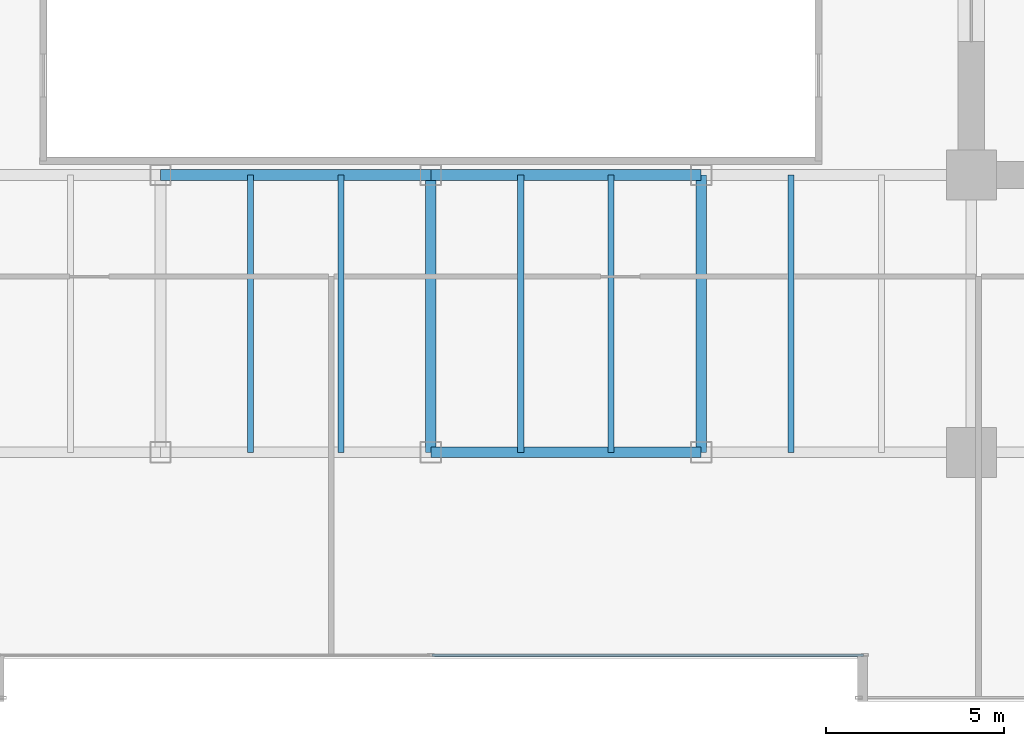
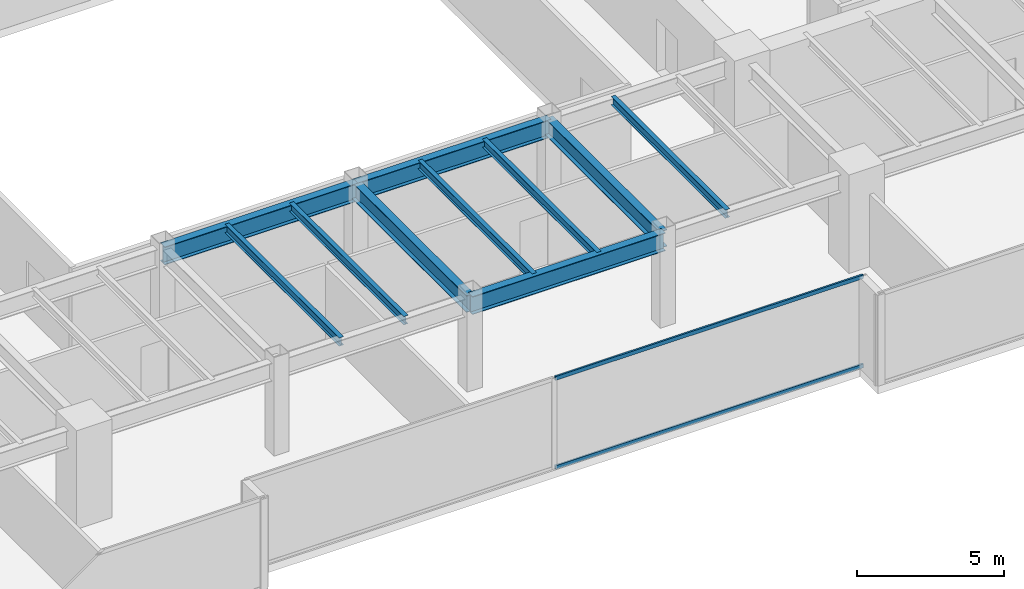
# One storey, part 9 of 35: 10 beams, 2 members, 1 element without a shape of its own.
"""IFC4 building model written with IfcOpenShell, lengths in metres."""

import ifcopenshell
import ifcopenshell.guid

model = None  # the IFC model being written
_history = None  # IfcOwnerHistory: only IFC2X3 demands one
_inside = {}  # id of a spatial element -> (the spatial element, [elements in it])
_under = {}  # id of a project, library or spatial element -> (it, [spatial elements below it])
_declared = {}  # id of a project -> (the project, [libraries it declares])
_typed = {}  # id of a type object -> (the type object, [elements of that type])
_made_of = {}  # id of a material, layer set ... -> (it, [elements and type objects made of it])


def new_model(schema):
    """Start an empty IFC model of exactly this schema.

    Asked for "IFC4X3", IfcOpenShell would pick the latest addendum, in which some entities
    have other attributes; the version numbers below select the first issue.
    IFC2X3 requires an IfcOwnerHistory on every rooted entity: one is made here for all.
    """
    global model, _history
    if schema == "IFC4X3":
        model = ifcopenshell.file(schema_version=(4, 3, 0, 0))
    else:
        model = ifcopenshell.file(schema=schema)
    _inside.clear()
    _under.clear()
    _declared.clear()
    _typed.clear()
    _made_of.clear()
    _history = None
    if model.schema == "IFC2X3":
        org = make("IfcOrganization", Name="unknown")
        user = make(
            "IfcPersonAndOrganization",
            ThePerson=make("IfcPerson", FamilyName="unknown"),
            TheOrganization=org,
        )
        app = make(
            "IfcApplication",
            ApplicationDeveloper=org,
            Version="unknown",
            ApplicationFullName="unknown",
            ApplicationIdentifier="unknown",
        )
        _history = make(
            "IfcOwnerHistory",
            OwningUser=user,
            OwningApplication=app,
            ChangeAction="ADDED",
            CreationDate=0,
        )
    return model


def make(cls, **values):
    """One entity of the class cls with the attributes given. An attribute that is None is left unset."""
    return model.create_entity(
        cls, **{name: value for name, value in values.items() if value is not None}
    )


def rooted(cls, **values):
    """An entity with a GlobalId (a new one), such as an element, a storey or a relation."""
    return make(cls, GlobalId=ifcopenshell.guid.new(), OwnerHistory=_history, **values)


def si_unit(unit_type, name, prefix=None):
    """IfcSIUnit, for example si_unit("LENGTHUNIT", "METRE", prefix="MILLI")."""
    return make("IfcSIUnit", UnitType=unit_type, Prefix=prefix, Name=name)


def assignment(units):
    """IfcUnitAssignment: the units of a project."""
    return None if units is None else make("IfcUnitAssignment", Units=units)


def point(xyz):
    """IfcCartesianPoint."""
    return None if xyz is None else make("IfcCartesianPoint", Coordinates=xyz)


def direction(xyz):
    """IfcDirection."""
    return None if xyz is None else make("IfcDirection", DirectionRatios=xyz)


def frame(location, z_axis=None, x_axis=None):
    """IfcAxis2Placement3D, a coordinate frame: its origin and axes. An axis left out is left unset."""
    return make(
        "IfcAxis2Placement3D",
        Location=point(location),
        Axis=direction(z_axis),
        RefDirection=direction(x_axis),
    )


def frame_2d(location, x_axis=None):
    """IfcAxis2Placement2D, a coordinate frame in the plane: its origin and x axis."""
    return make(
        "IfcAxis2Placement2D", Location=point(location), RefDirection=direction(x_axis)
    )


def origin():
    """The frame at (0, 0, 0) with its axes left unset."""
    return frame((0.0, 0.0, 0.0))


def origin_2d():
    """The frame at (0, 0) in the plane with its x axis left unset."""
    return frame_2d((0.0, 0.0))


def place(relative_to, where):
    """IfcLocalPlacement: puts the frame where relative to a parent placement (None: the world)."""
    return make(
        "IfcLocalPlacement", PlacementRelTo=relative_to, RelativePlacement=where
    )


def context(
    kind, dimensions, precision=None, world=None, true_north=None, identifier=None
):
    """IfcGeometricRepresentationContext, for example the 3D "Model" context."""
    return make(
        "IfcGeometricRepresentationContext",
        ContextIdentifier=identifier,
        ContextType=kind,
        CoordinateSpaceDimension=dimensions,
        Precision=precision,
        WorldCoordinateSystem=world,
        TrueNorth=true_north,
    )


def subcontext(parent, identifier, kind, view, scale=None):
    """IfcGeometricRepresentationSubContext, for example "Body" below "Model"."""
    return make(
        "IfcGeometricRepresentationSubContext",
        ContextIdentifier=identifier,
        ContextType=kind,
        ParentContext=parent,
        TargetScale=scale,
        TargetView=view,
    )


def project(units=None, contexts=None):
    """IfcProject with its units and contexts."""
    return rooted(
        "IfcProject",
        Name="project",
        RepresentationContexts=contexts,
        UnitsInContext=assignment(units),
    )


def spatial(cls, under=None, at=None, **own):
    """A site, building, storey or space (cls), placed at a placement, below another one or the project."""
    s = rooted(cls, ObjectPlacement=at, **own)
    if under is not None:
        _under.setdefault(under.id(), (under, []))[1].append(s)
    return s


def profile(cls, at=None, kind="AREA", **sizes):
    """A parametric profile (cls). Its sizes go by their IFC names, for example OverallWidth=200.0."""
    return make(cls, ProfileType=kind, Position=at, **sizes)


def hollow_rectangle(**sizes):
    """IfcRectangleHollowProfileDef."""
    return profile("IfcRectangleHollowProfileDef", **sizes)


def i_section(**sizes):
    """IfcIShapeProfileDef."""
    return profile("IfcIShapeProfileDef", **sizes)


def extrude(swept, where, along, depth):
    """IfcExtrudedAreaSolid: the profile swept, set in the frame where, extruded along a direction by depth."""
    return make(
        "IfcExtrudedAreaSolid",
        SweptArea=swept,
        Position=where,
        ExtrudedDirection=direction(along),
        Depth=depth,
    )


def shape(context_of_items, identifier, shape_type, items):
    """IfcShapeRepresentation: the items that make up one representation, for example the "Body"."""
    return make(
        "IfcShapeRepresentation",
        ContextOfItems=context_of_items,
        RepresentationIdentifier=identifier,
        RepresentationType=shape_type,
        Items=items,
    )


def source(mapping_origin, context_of_items, identifier, shape_type, items):
    """IfcRepresentationMap: a shape defined once, which mapped items show again and again."""
    return make(
        "IfcRepresentationMap",
        MappingOrigin=mapping_origin,
        MappedRepresentation=shape(context_of_items, identifier, shape_type, items),
    )


def transform(
    local_origin,
    x_axis=None,
    y_axis=None,
    z_axis=None,
    scale=None,
    scale2=None,
    scale3=None,
    uniform=True,
):
    """IfcCartesianTransformationOperator3D, or its non-uniform kind. x_axis, y_axis, z_axis: its Axis1, 2, 3."""
    if uniform:
        return make(
            "IfcCartesianTransformationOperator3D",
            Axis1=direction(x_axis),
            Axis2=direction(y_axis),
            LocalOrigin=point(local_origin),
            Scale=scale,
            Axis3=direction(z_axis),
        )
    return make(
        "IfcCartesianTransformationOperator3DnonUniform",
        Axis1=direction(x_axis),
        Axis2=direction(y_axis),
        LocalOrigin=point(local_origin),
        Scale=scale,
        Axis3=direction(z_axis),
        Scale2=scale2,
        Scale3=scale3,
    )


def mapped(mapping_source, mapping_target):
    """IfcMappedItem: shows the shape of a source again, moved by a transform."""
    return make(
        "IfcMappedItem", MappingSource=mapping_source, MappingTarget=mapping_target
    )


def material(Name=None, Category=None):
    """IfcMaterial."""
    return make("IfcMaterial", Name=Name, Category=Category)


def layer(
    of_material, thickness, ventilated=None, Name=None, Category=None, Priority=None
):
    """IfcMaterialLayer: one layer of a wall or slab, of a material (None: an air gap)."""
    return make(
        "IfcMaterialLayer",
        Material=of_material,
        LayerThickness=thickness,
        IsVentilated=ventilated,
        Name=Name,
        Category=Category,
        Priority=Priority,
    )


def layer_set(layers, Name=None):
    """IfcMaterialLayerSet."""
    return make("IfcMaterialLayerSet", MaterialLayers=layers, LayerSetName=Name)


def material_profile(
    of_material, cross_section, Name=None, Category=None, Priority=None
):
    """IfcMaterialProfile: a cross section and its material."""
    return make(
        "IfcMaterialProfile",
        Name=Name,
        Material=of_material,
        Profile=cross_section,
        Priority=Priority,
        Category=Category,
    )


def profile_set(profiles, Name=None, composite=None):
    """IfcMaterialProfileSet."""
    return make(
        "IfcMaterialProfileSet",
        Name=Name,
        MaterialProfiles=profiles,
        CompositeProfile=composite,
    )


def made_of(thing, what):
    """Note that an element or type object is made of a material, layer set ...; save() writes the relation."""
    if what is not None:
        _made_of.setdefault(what.id(), (what, []))[1].append(thing)
    return thing


def type_object(cls, material=None, **own):
    """A type object (cls), such as IfcWallType, which elements share."""
    return made_of(rooted(cls, **own), material)


def type_shapes(of_type, sources):
    """Give a type object the sources (RepresentationMaps) that its elements show as mapped items."""
    of_type.RepresentationMaps = sources


def element(
    cls,
    number,
    at=None,
    inside=None,
    cuts=None,
    type_object=None,
    material=None,
    context=None,
    identifier="Body",
    shape_type=None,
    held_by="IfcProductDefinitionShape",
    body=None,
    shapes=None,
    **own,
):
    """One element of the class cls, such as IfcWall. Its Tag is "e" and its number.

    at: its placement. inside: the storey or other place that contains it. cuts: it is an
    opening in that element (IfcRelVoidsElement). A single representation is given by context,
    identifier, shape_type and body (its items); several are given by shapes. held_by: the class
    of the entity that holds the representations. save() writes the other relations.
    """
    e = rooted(cls, Tag="e%d" % number, ObjectPlacement=at, **own)
    if body is not None:
        shapes = [shape(context, identifier, shape_type, body)]
    if shapes is not None:
        e.Representation = make(held_by, Representations=shapes)
    if inside is not None:
        _inside.setdefault(inside.id(), (inside, []))[1].append(e)
    if cuts is not None:
        rooted(
            "IfcRelVoidsElement", RelatingBuildingElement=cuts, RelatedOpeningElement=e
        )
    if type_object is not None:
        _typed.setdefault(type_object.id(), (type_object, []))[1].append(e)
    return made_of(e, material)


def aggregate(whole, parts):
    """IfcRelAggregates: a whole, such as a stair, and the parts it consists of."""
    return rooted("IfcRelAggregates", RelatingObject=whole, RelatedObjects=parts)


def save(model, path):
    """Write the relations noted so far, then the file.

    IfcRelAggregates (storeys below a building ...), IfcRelContainedInSpatialStructure (elements
    in a storey), IfcRelDefinesByType, IfcRelAssociatesMaterial and IfcRelDeclares: one each for
    every whole, place, type object, material and project.
    """
    for whole, parts in _under.values():
        aggregate(whole, parts)
    for where, things in _inside.values():
        rooted(
            "IfcRelContainedInSpatialStructure",
            RelatedElements=things,
            RelatingStructure=where,
        )
    for kind, things in _typed.values():
        rooted("IfcRelDefinesByType", RelatedObjects=things, RelatingType=kind)
    for what, things in _made_of.values():
        rooted("IfcRelAssociatesMaterial", RelatedObjects=things, RelatingMaterial=what)
    for by, libraries in _declared.values():
        rooted("IfcRelDeclares", RelatingContext=by, RelatedDefinitions=libraries)
    model.write(path)


model = new_model("IFC4")

# Units and contexts
model_context = context("Model", 3, precision=1e-05, world=origin(), true_north=direction((0.0, 1.0)))
body_context = subcontext(model_context, "Body", "Model", "MODEL_VIEW")
ifc_project = project(units=[si_unit("LENGTHUNIT", "METRE"), si_unit("AREAUNIT", "SQUARE_METRE"), si_unit("VOLUMEUNIT", "CUBIC_METRE"), si_unit("PLANEANGLEUNIT", "RADIAN"), si_unit("MASSUNIT", "GRAM", prefix="KILO")], contexts=[model_context])

# Site, building, storey
site_placement = place(None, origin())
site = spatial("IfcSite", under=ifc_project, at=site_placement, CompositionType="ELEMENT")
building_placement = place(site_placement, origin())
building = spatial("IfcBuilding", under=site, at=building_placement, Name="Haelvirn Gate Laboratories", CompositionType="ELEMENT")
storey_placement = place(building_placement, frame((0.0, 0.0, 37.5)))
storey = spatial("IfcBuildingStorey", under=building, at=storey_placement, Name="L09", CompositionType="ELEMENT", Elevation=37.5)

# Beams
ifc_material_1 = material(Name="Steel SM355", Category="steel")
ifc_material_profile_1 = material_profile(ifc_material_1, i_section(OverallWidth=0.300048828125, OverallDepth=0.699951171875, WebThickness=0.012939453125, FlangeThickness=0.02392578125, at=origin_2d()), Name="H-700x300x13x24")
ifc_profile_set_1 = profile_set([ifc_material_profile_1], Name="Steel SM355")
beam_type_1 = type_object("IfcBeamType", Name="BM-G-700", PredefinedType="BEAM", material=ifc_profile_set_1)
shared_shape_1 = source(origin(), body_context, "Body", "SweptSolid", [
    extrude(i_section(OverallWidth=0.300048828125, OverallDepth=0.699951171875, WebThickness=0.012939453125, FlangeThickness=0.02392578125, at=origin_2d()), origin(), (0.0, 0.0, 1.0), 7.800048828125),
])
type_shapes(beam_type_1, [shared_shape_1])
for number, where, z_axis, x_axis, name in (
    (1, (37.39990234375, 7.0, 3.429931640625), (0.0, 1.0, 0.0), (-1.0, 0.0, 0.0), "L09 Frame Girder X37.4 (7.0-14.8)"),
    (2, (45.0, 7.0, 3.429931640625), (0.0, 1.0, 0.0), (-1.0, 0.0, 0.0), "L09 Frame Girder X45.0 (7.0-14.8)"),
):
    element("IfcBeam", number, at=place(storey_placement, frame(where, z_axis=z_axis, x_axis=x_axis)), inside=storey, type_object=beam_type_1, Name=name, PredefinedType="BEAM", context=body_context, shape_type="MappedRepresentation", body=[
        mapped(shared_shape_1, transform((0.0, 0.0, 0.0), scale=1.0)),
    ])
ifc_material_profile_2 = material_profile(ifc_material_1, i_section(OverallWidth=0.300048828125, OverallDepth=0.75, WebThickness=0.013916015625, FlangeThickness=0.02392578125, at=origin_2d()), Name="H-750x300x14x24")
ifc_profile_set_2 = profile_set([ifc_material_profile_2], Name="Steel SM355")
beam_type_2 = type_object("IfcBeamType", Name="BM-G-750", PredefinedType="BEAM", material=ifc_profile_set_2)
shared_shape_2 = source(origin(), body_context, "Body", "SweptSolid", [
    extrude(i_section(OverallWidth=0.300048828125, OverallDepth=0.75, WebThickness=0.013916015625, FlangeThickness=0.02392578125, at=origin_2d()), origin(), (0.0, 0.0, 1.0), 7.60009765625),
])
for number, where, z_axis, x_axis, name in (
    (3, (37.39990234375, 7.0, 3.405029296875), (1.0, 0.0, 0.0), (0.0, 1.0, 0.0), "L09 Primary Girder Y7.0 (37.4-45.0)"),
    (4, (37.39990234375, 14.800048828125, 3.405029296875), (1.0, 0.0, 0.0), (0.0, 1.0, 0.0), "L09 Primary Girder Y14.8 (37.4-45.0)"),
):
    element("IfcBeam", number, at=place(storey_placement, frame(where, z_axis=z_axis, x_axis=x_axis)), inside=storey, type_object=beam_type_2, Name=name, PredefinedType="BEAM", context=body_context, shape_type="MappedRepresentation", body=[
        mapped(shared_shape_2, transform((0.0, 0.0, 0.0), scale=1.0)),
    ])
shared_shape_3 = source(origin(), body_context, "Body", "SweptSolid", [
    extrude(i_section(OverallWidth=0.300048828125, OverallDepth=0.75, WebThickness=0.013916015625, FlangeThickness=0.02392578125, at=origin_2d()), origin(), (0.0, 0.0, 1.0), 7.599853515625),
])
type_shapes(beam_type_2, [shared_shape_2, shared_shape_3])
beam_placement = place(storey_placement, frame((29.800048828125, 14.800048828125, 3.405029296875), z_axis=(1.0, 0.0, 0.0), x_axis=(0.0, 1.0, 0.0)))
element("IfcBeam", 5, at=beam_placement, inside=storey, type_object=beam_type_2, Name="L09 Primary Girder Y14.8 (29.8-37.4)", PredefinedType="BEAM", context=body_context, shape_type="MappedRepresentation", body=[
    mapped(shared_shape_3, transform((0.0, 0.0, 0.0), scale=1.0)),
])
ifc_material_profile_3 = material_profile(ifc_material_1, i_section(OverallWidth=0.175048828125, OverallDepth=0.35009765625, WebThickness=0.007080078125, FlangeThickness=0.010986328125, at=origin_2d()), Name="H-350x175x7x11")
ifc_profile_set_3 = profile_set([ifc_material_profile_3], Name="Steel SM355")
beam_type_3 = type_object("IfcBeamType", Name="BM-J-350", PredefinedType="JOIST", material=ifc_profile_set_3)
shared_shape_4 = source(origin(), body_context, "Body", "SweptSolid", [
    extrude(i_section(OverallWidth=0.175048828125, OverallDepth=0.35009765625, WebThickness=0.007080078125, FlangeThickness=0.010986328125, at=origin_2d()), origin(), (0.0, 0.0, 1.0), 7.800048828125),
])
type_shapes(beam_type_3, [shared_shape_4])
for number, where, z_axis, x_axis, name in (
    (6, (32.330078125, 7.0, 3.60498046875), (0.0, 1.0, 0.0), (-1.0, 0.0, 0.0), "L09 Composite Lab Joist South X32.33"),
    (7, (34.8701171875, 7.0, 3.60498046875), (0.0, 1.0, 0.0), (-1.0, 0.0, 0.0), "L09 Composite Lab Joist South X34.87"),
    (8, (39.929931640625, 7.0, 3.60498046875), (0.0, 1.0, 0.0), (-1.0, 0.0, 0.0), "L09 Composite Lab Joist South X39.93"),
    (9, (42.469970703125, 7.0, 3.60498046875), (0.0, 1.0, 0.0), (-1.0, 0.0, 0.0), "L09 Composite Lab Joist South X42.47"),
    (10, (47.530029296875, 7.0, 3.60498046875), (0.0, 1.0, 0.0), (-1.0, 0.0, 0.0), "L09 Composite Lab Joist South X47.53"),
):
    element("IfcBeam", number, at=place(storey_placement, frame(where, z_axis=z_axis, x_axis=x_axis)), inside=storey, type_object=beam_type_3, Name=name, PredefinedType="JOIST", context=body_context, shape_type="MappedRepresentation", body=[
        mapped(shared_shape_4, transform((0.0, 0.0, 0.0), scale=1.0)),
    ])

# Curtain wall, members
ifc_material_2 = material(Name="Anodised bronze unitised aluminium & triple low-E glass", Category="aluminium")
ifc_layer = layer(ifc_material_2, 0.18408203125, Name="CW-SYS-2")
ifc_layer_set = layer_set([ifc_layer], Name="Anodised bronze unitised aluminium & triple low-E glass")
curtain_wall_type = type_object("IfcCurtainWallType", Name="CW-SYS-2", PredefinedType="NOTDEFINED", material=ifc_layer_set)
curtain_wall_placement = place(storey_placement, origin())
curtain_wall = element("IfcCurtainWall", 11, at=curtain_wall_placement, inside=storey, type_object=curtain_wall_type, Name="L09 Unitised Curtain Wall CW-L09-P0-E02-1", PredefinedType="NOTDEFINED")
ifc_material_3 = material(Name="Extruded aluminium 6063-T6 (anodised bronze)", Category="aluminium")
ifc_material_profile_4 = material_profile(ifc_material_3, hollow_rectangle(XDim=0.070068359375, YDim=0.159912109375, WallThickness=0.0048828125, at=origin_2d()), Name="CWT-160x70x5")
ifc_profile_set_4 = profile_set([ifc_material_profile_4], Name="Extruded aluminium 6063-T6 (anodised bronze)")
member_type = type_object("IfcMemberType", Name="CWT-T160", PredefinedType="USERDEFINED", material=ifc_profile_set_4)
shared_shape_5 = source(origin(), body_context, "Body", "SweptSolid", [
    extrude(hollow_rectangle(XDim=0.070068359375, YDim=0.159912109375, WallThickness=0.0048828125, at=origin_2d()), origin(), (0.0, 0.0, 1.0), 12.12744140625),
])
type_shapes(member_type, [shared_shape_5])
member_1_placement = place(storey_placement, frame((37.4375, 1.300048828125, 0.034912109375), z_axis=(1.0, 0.0, 0.0), x_axis=(0.0, 1.0, 0.0)))
member_1 = element("IfcMember", 12, at=member_1_placement, type_object=member_type, Name="CW2 transom 2.1", ObjectType="TRANSOM", PredefinedType="USERDEFINED", context=body_context, shape_type="MappedRepresentation", body=[
    mapped(shared_shape_5, transform((0.0, 0.0, 0.0), scale=1.0)),
])
member_2_placement = place(storey_placement, frame((37.4375, 1.300048828125, 3.7451171875), z_axis=(1.0, 0.0, 0.0), x_axis=(0.0, 1.0, 0.0)))
member_2 = element("IfcMember", 13, at=member_2_placement, type_object=member_type, Name="CW2 transom 2.2", ObjectType="TRANSOM", PredefinedType="USERDEFINED", context=body_context, shape_type="MappedRepresentation", body=[
    mapped(shared_shape_5, transform((0.0, 0.0, 0.0), scale=1.0)),
])
aggregate(curtain_wall, [member_1, member_2])

save(model, "model.ifc")
